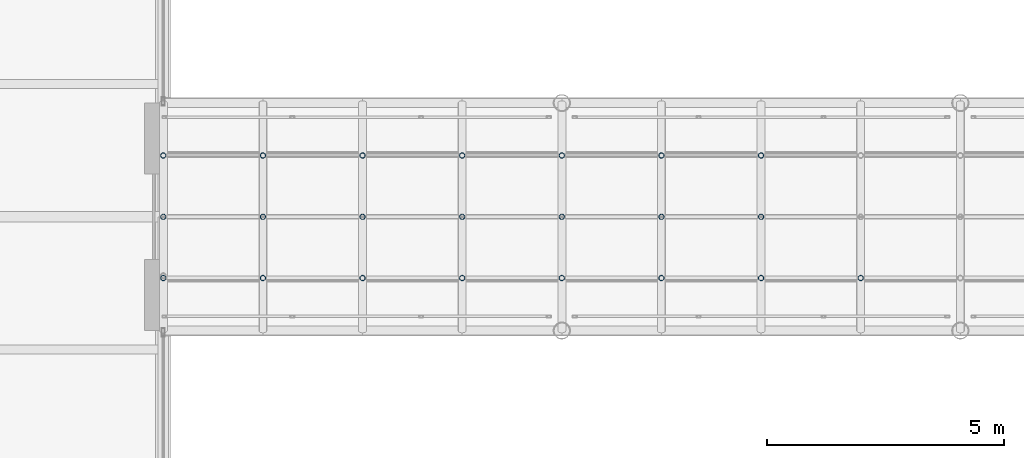
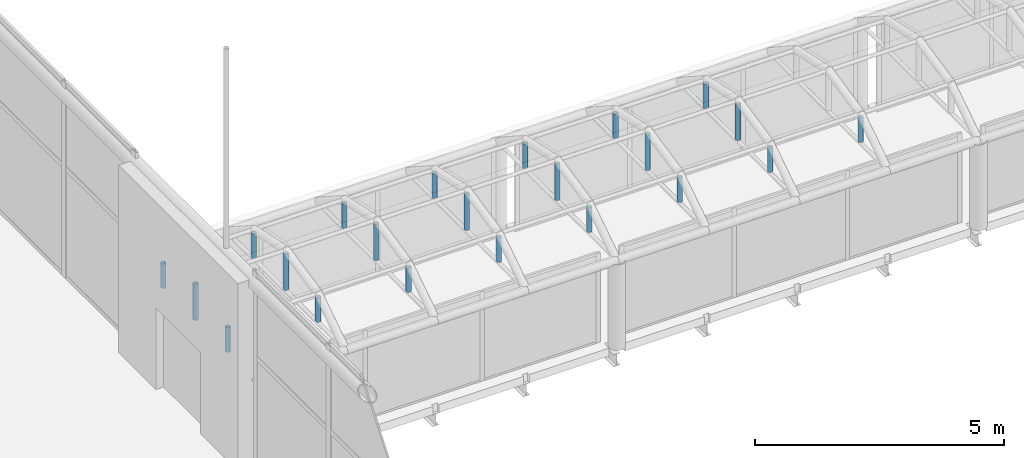
# One storey, part 138 of 167: 22 members.
"""IFC4 building model written with IfcOpenShell, lengths in metres."""

from ifc_helpers import new_model, si_unit, direction, frame, origin, origin_2d, place, context, subcontext, project, spatial, hollow_circle, extrude, material, material_profile, profile_set, type_object, element, save


model = new_model("IFC4")

# Units and contexts
model_context = context("Model", 3, precision=1e-05, world=origin(), true_north=direction((0.0, 1.0)))
body_context = subcontext(model_context, "Body", "Model", "MODEL_VIEW")
ifc_project = project(units=[si_unit("LENGTHUNIT", "METRE"), si_unit("AREAUNIT", "SQUARE_METRE"), si_unit("VOLUMEUNIT", "CUBIC_METRE"), si_unit("PLANEANGLEUNIT", "RADIAN"), si_unit("MASSUNIT", "GRAM", prefix="KILO")], contexts=[model_context])

# Site, building, storey
site_placement = place(None, origin())
site = spatial("IfcSite", under=ifc_project, at=site_placement, CompositionType="ELEMENT")
building_placement = place(site_placement, origin())
building = spatial("IfcBuilding", under=site, at=building_placement, Name="Catenary Quay Ferry Terminal", CompositionType="ELEMENT")
storey_placement = place(building_placement, frame((0.0, 0.0, 6.0)))
storey = spatial("IfcBuildingStorey", under=building, at=storey_placement, Name="L01", CompositionType="ELEMENT", Elevation=6.0)

# Members
ifc_material = material(Name="Steel S355", Category="steel")
ifc_material_profile = material_profile(ifc_material, hollow_circle(Radius=0.05712890625, WallThickness=0.00634765625, at=origin_2d()), Name="CHS 114.3x6.3")
ifc_profile_set = profile_set([ifc_material_profile], Name="Steel S355")
member_type = type_object("IfcMemberType", Name="HG1 CHS 114.3x6.3", PredefinedType="POST", material=ifc_profile_set)
member_1_placement = place(storey_placement, frame((92.39990234375, 91.10791015625, 2.14208984375), z_axis=(0.0, 0.0, 1.0), x_axis=(1.0, 0.0, 0.0)))
element("IfcMember", 1, at=member_1_placement, inside=storey, type_object=member_type, Name="Hanger RB2-01-01", PredefinedType="POST", context=body_context, shape_type="SweptSolid", body=[
    extrude(hollow_circle(Radius=0.05712890625, WallThickness=0.00634765625, at=origin_2d()), origin(), (0.0, 0.0, 1.0), 0.598876953125),
])
member_2_placement = place(storey_placement, frame((92.39990234375, 92.39990234375, 2.14208984375), z_axis=(0.0, 0.0, 1.0), x_axis=(1.0, 0.0, 0.0)))
element("IfcMember", 2, at=member_2_placement, inside=storey, type_object=member_type, Name="Hanger RB2-01-02", PredefinedType="POST", context=body_context, shape_type="SweptSolid", body=[
    extrude(hollow_circle(Radius=0.05712890625, WallThickness=0.00634765625, at=origin_2d()), origin(), (0.0, 0.0, 1.0), 0.8779296875),
])
for number, where, z_axis, x_axis, name in (
    (3, (92.39990234375, 93.69189453125, 2.14208984375), (0.0, 0.0, 1.0), (1.0, 0.0, 0.0), "Hanger RB2-01-03"),
    (4, (94.5, 91.10791015625, 2.14208984375), (0.0, 0.0, 1.0), (1.0, 0.0, 0.0), "Hanger RB2-02-01"),
):
    element("IfcMember", number, at=place(storey_placement, frame(where, z_axis=z_axis, x_axis=x_axis)), inside=storey, type_object=member_type, Name=name, PredefinedType="POST", context=body_context, shape_type="SweptSolid", body=[
        extrude(hollow_circle(Radius=0.05712890625, WallThickness=0.00634765625, at=origin_2d()), origin(), (0.0, 0.0, 1.0), 0.598876953125),
    ])
member_3_placement = place(storey_placement, frame((94.5, 92.39990234375, 2.14208984375), z_axis=(0.0, 0.0, 1.0), x_axis=(1.0, 0.0, 0.0)))
element("IfcMember", 5, at=member_3_placement, inside=storey, type_object=member_type, Name="Hanger RB2-02-02", PredefinedType="POST", context=body_context, shape_type="SweptSolid", body=[
    extrude(hollow_circle(Radius=0.05712890625, WallThickness=0.00634765625, at=origin_2d()), origin(), (0.0, 0.0, 1.0), 0.8779296875),
])
for number, where, z_axis, x_axis, name in (
    (6, (94.5, 93.69189453125, 2.14208984375), (0.0, 0.0, 1.0), (1.0, 0.0, 0.0), "Hanger RB2-02-03"),
    (7, (96.60009765625, 91.10791015625, 2.14208984375), (0.0, 0.0, 1.0), (1.0, 0.0, 0.0), "Hanger RB2-03-01"),
):
    element("IfcMember", number, at=place(storey_placement, frame(where, z_axis=z_axis, x_axis=x_axis)), inside=storey, type_object=member_type, Name=name, PredefinedType="POST", context=body_context, shape_type="SweptSolid", body=[
        extrude(hollow_circle(Radius=0.05712890625, WallThickness=0.00634765625, at=origin_2d()), origin(), (0.0, 0.0, 1.0), 0.598876953125),
    ])
member_4_placement = place(storey_placement, frame((96.60009765625, 92.39990234375, 2.14208984375), z_axis=(0.0, 0.0, 1.0), x_axis=(1.0, 0.0, 0.0)))
element("IfcMember", 8, at=member_4_placement, inside=storey, type_object=member_type, Name="Hanger RB2-03-02", PredefinedType="POST", context=body_context, shape_type="SweptSolid", body=[
    extrude(hollow_circle(Radius=0.05712890625, WallThickness=0.00634765625, at=origin_2d()), origin(), (0.0, 0.0, 1.0), 0.8779296875),
])
for number, where, z_axis, x_axis, name in (
    (9, (96.60009765625, 93.69189453125, 2.14208984375), (0.0, 0.0, 1.0), (1.0, 0.0, 0.0), "Hanger RB2-03-03"),
    (10, (98.699951171875, 91.10791015625, 2.14208984375), (0.0, 0.0, 1.0), (1.0, 0.0, 0.0), "Hanger RB2-04-01"),
):
    element("IfcMember", number, at=place(storey_placement, frame(where, z_axis=z_axis, x_axis=x_axis)), inside=storey, type_object=member_type, Name=name, PredefinedType="POST", context=body_context, shape_type="SweptSolid", body=[
        extrude(hollow_circle(Radius=0.05712890625, WallThickness=0.00634765625, at=origin_2d()), origin(), (0.0, 0.0, 1.0), 0.598876953125),
    ])
member_5_placement = place(storey_placement, frame((98.699951171875, 92.39990234375, 2.14208984375), z_axis=(0.0, 0.0, 1.0), x_axis=(1.0, 0.0, 0.0)))
element("IfcMember", 11, at=member_5_placement, inside=storey, type_object=member_type, Name="Hanger RB2-04-02", PredefinedType="POST", context=body_context, shape_type="SweptSolid", body=[
    extrude(hollow_circle(Radius=0.05712890625, WallThickness=0.00634765625, at=origin_2d()), origin(), (0.0, 0.0, 1.0), 0.8779296875),
])
for number, where, z_axis, x_axis, name in (
    (12, (98.699951171875, 93.69189453125, 2.14208984375), (0.0, 0.0, 1.0), (1.0, 0.0, 0.0), "Hanger RB2-04-03"),
    (13, (100.800048828125, 91.10791015625, 2.14208984375), (0.0, 0.0, 1.0), (1.0, 0.0, 0.0), "Hanger RB2-05-01"),
):
    element("IfcMember", number, at=place(storey_placement, frame(where, z_axis=z_axis, x_axis=x_axis)), inside=storey, type_object=member_type, Name=name, PredefinedType="POST", context=body_context, shape_type="SweptSolid", body=[
        extrude(hollow_circle(Radius=0.05712890625, WallThickness=0.00634765625, at=origin_2d()), origin(), (0.0, 0.0, 1.0), 0.598876953125),
    ])
member_6_placement = place(storey_placement, frame((100.800048828125, 92.39990234375, 2.14208984375), z_axis=(0.0, 0.0, 1.0), x_axis=(1.0, 0.0, 0.0)))
element("IfcMember", 14, at=member_6_placement, inside=storey, type_object=member_type, Name="Hanger RB2-05-02", PredefinedType="POST", context=body_context, shape_type="SweptSolid", body=[
    extrude(hollow_circle(Radius=0.05712890625, WallThickness=0.00634765625, at=origin_2d()), origin(), (0.0, 0.0, 1.0), 0.8779296875),
])
for number, where, z_axis, x_axis, name in (
    (15, (100.800048828125, 93.69189453125, 2.14208984375), (0.0, 0.0, 1.0), (1.0, 0.0, 0.0), "Hanger RB2-05-03"),
    (16, (102.89990234375, 91.10791015625, 2.14208984375), (0.0, 0.0, 1.0), (1.0, 0.0, 0.0), "Hanger RB2-06-01"),
):
    element("IfcMember", number, at=place(storey_placement, frame(where, z_axis=z_axis, x_axis=x_axis)), inside=storey, type_object=member_type, Name=name, PredefinedType="POST", context=body_context, shape_type="SweptSolid", body=[
        extrude(hollow_circle(Radius=0.05712890625, WallThickness=0.00634765625, at=origin_2d()), origin(), (0.0, 0.0, 1.0), 0.598876953125),
    ])
member_7_placement = place(storey_placement, frame((102.89990234375, 92.39990234375, 2.14208984375), z_axis=(0.0, 0.0, 1.0), x_axis=(1.0, 0.0, 0.0)))
element("IfcMember", 17, at=member_7_placement, inside=storey, type_object=member_type, Name="Hanger RB2-06-02", PredefinedType="POST", context=body_context, shape_type="SweptSolid", body=[
    extrude(hollow_circle(Radius=0.05712890625, WallThickness=0.00634765625, at=origin_2d()), origin(), (0.0, 0.0, 1.0), 0.8779296875),
])
for number, where, z_axis, x_axis, name in (
    (18, (102.89990234375, 93.69189453125, 2.14208984375), (0.0, 0.0, 1.0), (1.0, 0.0, 0.0), "Hanger RB2-06-03"),
    (19, (105.0, 91.10791015625, 2.14208984375), (0.0, 0.0, 1.0), (1.0, 0.0, 0.0), "Hanger RB2-07-01"),
):
    element("IfcMember", number, at=place(storey_placement, frame(where, z_axis=z_axis, x_axis=x_axis)), inside=storey, type_object=member_type, Name=name, PredefinedType="POST", context=body_context, shape_type="SweptSolid", body=[
        extrude(hollow_circle(Radius=0.05712890625, WallThickness=0.00634765625, at=origin_2d()), origin(), (0.0, 0.0, 1.0), 0.598876953125),
    ])
member_8_placement = place(storey_placement, frame((105.0, 92.39990234375, 2.14208984375), z_axis=(0.0, 0.0, 1.0), x_axis=(1.0, 0.0, 0.0)))
element("IfcMember", 20, at=member_8_placement, inside=storey, type_object=member_type, Name="Hanger RB2-07-02", PredefinedType="POST", context=body_context, shape_type="SweptSolid", body=[
    extrude(hollow_circle(Radius=0.05712890625, WallThickness=0.00634765625, at=origin_2d()), origin(), (0.0, 0.0, 1.0), 0.8779296875),
])
for number, where, z_axis, x_axis, name in (
    (21, (105.0, 93.69189453125, 2.14208984375), (0.0, 0.0, 1.0), (1.0, 0.0, 0.0), "Hanger RB2-07-03"),
    (22, (107.10009765625, 91.10791015625, 2.14208984375), (0.0, 0.0, 1.0), (1.0, 0.0, 0.0), "Hanger RB2-08-01"),
):
    element("IfcMember", number, at=place(storey_placement, frame(where, z_axis=z_axis, x_axis=x_axis)), inside=storey, type_object=member_type, Name=name, PredefinedType="POST", context=body_context, shape_type="SweptSolid", body=[
        extrude(hollow_circle(Radius=0.05712890625, WallThickness=0.00634765625, at=origin_2d()), origin(), (0.0, 0.0, 1.0), 0.598876953125),
    ])

save(model, "model.ifc")
